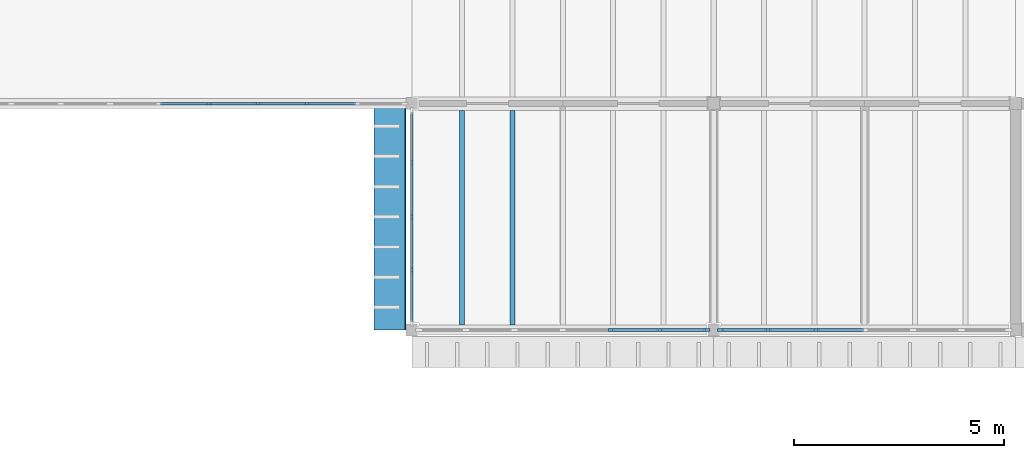
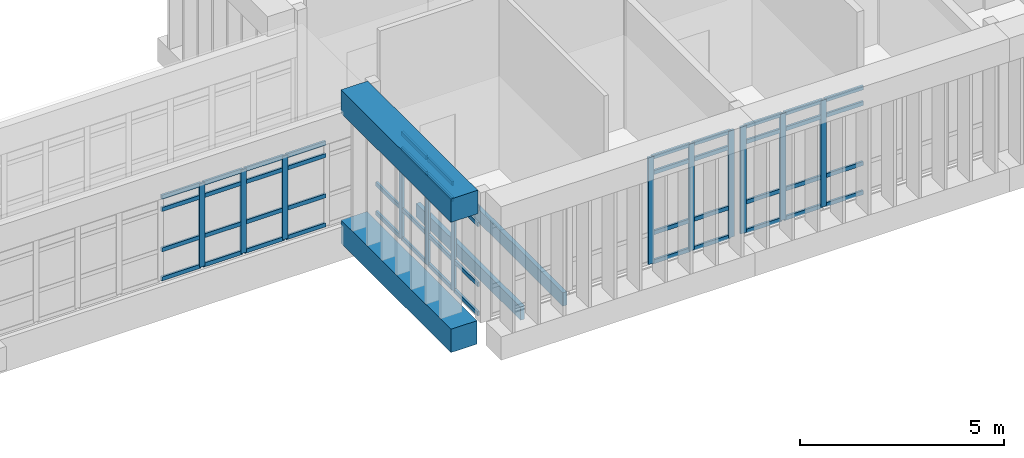
# One storey, part 11 of 51: 64 members, 2 beams, 4 elements without a shape of their own.
"""IFC4 building model written with IfcOpenShell, lengths in metres."""

from ifc_helpers import new_model, si_unit, direction, frame, origin, origin_2d, place, context, subcontext, project, spatial, rectangle, extrude, material, layer, layer_set, material_profile, profile_set, type_object, element, aggregate, save


model = new_model("IFC4")

# Units and contexts
model_context = context("Model", 3, precision=1e-05, world=origin(), true_north=direction((0.0, 1.0)))
body_context = subcontext(model_context, "Body", "Model", "MODEL_VIEW")
ifc_project = project(units=[si_unit("LENGTHUNIT", "METRE"), si_unit("AREAUNIT", "SQUARE_METRE"), si_unit("VOLUMEUNIT", "CUBIC_METRE"), si_unit("PLANEANGLEUNIT", "RADIAN"), si_unit("MASSUNIT", "GRAM", prefix="KILO")], contexts=[model_context])

# Site, building, storey
site_placement = place(None, origin())
site = spatial("IfcSite", under=ifc_project, at=site_placement, CompositionType="ELEMENT")
building_placement = place(site_placement, origin())
building = spatial("IfcBuilding", under=site, at=building_placement, Name="Mazhai Court Health Centre", CompositionType="ELEMENT")
storey_placement = place(building_placement, frame((0.0, 0.0, 14.10009765625)))
storey = spatial("IfcBuildingStorey", under=building, at=storey_placement, Name="L03", CompositionType="ELEMENT", Elevation=14.10009765625)

# Curtain wall, members
ifc_material_1 = material(Name="Teak timber frame, glazed", Category="wood")
ifc_layer = layer(ifc_material_1, 0.10009765625)
ifc_layer_set = layer_set([ifc_layer], Name="CURTAIN WALL TIMBER 1200")
curtain_wall_type = type_object("IfcCurtainWallType", Name="CURTAIN WALL TIMBER 1200", PredefinedType="NOTDEFINED", material=ifc_layer_set)
curtain_wall_1_placement = place(storey_placement, origin())
curtain_wall_1 = element("IfcCurtainWall", 1, at=curtain_wall_1_placement, inside=storey, type_object=curtain_wall_type, Name="CW-V4-L03-A5", PredefinedType="NOTDEFINED")
ifc_material_2 = material(Name="Teak timber", Category="wood")
ifc_material_profile_1 = material_profile(ifc_material_2, rectangle(XDim=0.06005859375, YDim=0.159912109375, at=origin_2d()), Name="CW MULLION 60x160")
ifc_profile_set_1 = profile_set([ifc_material_profile_1], Name="Teak timber")
member_type_1 = type_object("IfcMemberType", Name="CW MULLION 60x160", PredefinedType="MULLION", material=ifc_profile_set_1)
member_1_placement = place(storey_placement, frame((114.030029296875, 13.39990234375, 0.0), z_axis=(0.0, 0.0, 1.0), x_axis=(0.0, -1.0, 0.0)))
member_1 = element("IfcMember", 2, at=member_1_placement, type_object=member_type_1, Name="CW mullion 1", PredefinedType="MULLION", context=body_context, shape_type="SweptSolid", body=[
    extrude(rectangle(XDim=0.06005859375, YDim=0.159912109375, at=origin_2d()), origin(), (0.0, 0.0, 1.0), 3.199951171875),
])
member_2_placement = place(storey_placement, frame((112.90673828125, 13.39990234375, 0.0), z_axis=(0.0, 0.0, 1.0), x_axis=(0.0, -1.0, 0.0)))
member_2 = element("IfcMember", 3, at=member_2_placement, type_object=member_type_1, Name="CW mullion 2", PredefinedType="MULLION", context=body_context, shape_type="SweptSolid", body=[
    extrude(rectangle(XDim=0.06005859375, YDim=0.159912109375, at=origin_2d()), origin(), (0.0, 0.0, 1.0), 3.199951171875),
])
member_3_placement = place(storey_placement, frame((111.75341796875, 13.39990234375, 0.0), z_axis=(0.0, 0.0, 1.0), x_axis=(0.0, -1.0, 0.0)))
member_3 = element("IfcMember", 4, at=member_3_placement, type_object=member_type_1, Name="CW mullion 3", PredefinedType="MULLION", context=body_context, shape_type="SweptSolid", body=[
    extrude(rectangle(XDim=0.06005859375, YDim=0.159912109375, at=origin_2d()), origin(), (0.0, 0.0, 1.0), 3.199951171875),
])

curtain_wall_2_placement = place(storey_placement, origin())
curtain_wall_2 = element("IfcCurtainWall", 5, at=curtain_wall_2_placement, inside=storey, type_object=curtain_wall_type, Name="CW-V4-L03-A6", PredefinedType="NOTDEFINED")
member_4_placement = place(storey_placement, frame((116.646728515625, 13.39990234375, 0.0), z_axis=(0.0, 0.0, 1.0), x_axis=(0.0, -1.0, 0.0)))
member_4 = element("IfcMember", 6, at=member_4_placement, type_object=member_type_1, Name="CW mullion 5", PredefinedType="MULLION", context=body_context, shape_type="SweptSolid", body=[
    extrude(rectangle(XDim=0.06005859375, YDim=0.159912109375, at=origin_2d()), origin(), (0.0, 0.0, 1.0), 3.199951171875),
])
member_5_placement = place(storey_placement, frame((115.493408203125, 13.39990234375, 0.0), z_axis=(0.0, 0.0, 1.0), x_axis=(0.0, -1.0, 0.0)))
member_5 = element("IfcMember", 7, at=member_5_placement, type_object=member_type_1, Name="CW mullion 6", PredefinedType="MULLION", context=body_context, shape_type="SweptSolid", body=[
    extrude(rectangle(XDim=0.06005859375, YDim=0.159912109375, at=origin_2d()), origin(), (0.0, 0.0, 1.0), 3.199951171875),
])
member_6_placement = place(storey_placement, frame((114.3701171875, 13.39990234375, 0.0), z_axis=(0.0, 0.0, 1.0), x_axis=(0.0, -1.0, 0.0)))
member_6 = element("IfcMember", 8, at=member_6_placement, type_object=member_type_1, Name="CW mullion 7", PredefinedType="MULLION", context=body_context, shape_type="SweptSolid", body=[
    extrude(rectangle(XDim=0.06005859375, YDim=0.159912109375, at=origin_2d()), origin(), (0.0, 0.0, 1.0), 3.199951171875),
])

curtain_wall_3_placement = place(storey_placement, origin())
curtain_wall_3 = element("IfcCurtainWall", 9, at=curtain_wall_3_placement, inside=storey, type_object=curtain_wall_type, Name="CW-V4-L03-CW5-0", PredefinedType="NOTDEFINED")
member_7_placement = place(storey_placement, frame((107.0, 14.820068359375, 0.0), z_axis=(0.0, 0.0, 1.0), x_axis=(-1.0, 0.0, 0.0)))
member_7 = element("IfcMember", 10, at=member_7_placement, type_object=member_type_1, Name="CW mullion 2", PredefinedType="MULLION", context=body_context, shape_type="SweptSolid", body=[
    extrude(rectangle(XDim=0.06005859375, YDim=0.159912109375, at=origin_2d()), origin(), (0.0, 0.0, 1.0), 3.199951171875),
])
member_8_placement = place(storey_placement, frame((107.0, 16.10009765625, 0.0), z_axis=(0.0, 0.0, 1.0), x_axis=(-1.0, 0.0, 0.0)))
member_8 = element("IfcMember", 11, at=member_8_placement, type_object=member_type_1, Name="CW mullion 3", PredefinedType="MULLION", context=body_context, shape_type="SweptSolid", body=[
    extrude(rectangle(XDim=0.06005859375, YDim=0.159912109375, at=origin_2d()), origin(), (0.0, 0.0, 1.0), 3.199951171875),
])
member_9_placement = place(storey_placement, frame((107.0, 17.3798828125, 0.0), z_axis=(0.0, 0.0, 1.0), x_axis=(-1.0, 0.0, 0.0)))
member_9 = element("IfcMember", 12, at=member_9_placement, type_object=member_type_1, Name="CW mullion 4", PredefinedType="MULLION", context=body_context, shape_type="SweptSolid", body=[
    extrude(rectangle(XDim=0.06005859375, YDim=0.159912109375, at=origin_2d()), origin(), (0.0, 0.0, 1.0), 3.199951171875),
])

curtain_wall_4_placement = place(storey_placement, origin())
curtain_wall_4 = element("IfcCurtainWall", 13, at=curtain_wall_4_placement, inside=storey, type_object=curtain_wall_type, Name="CW-BR-LC3-S", PredefinedType="NOTDEFINED")
member_10_placement = place(storey_placement, frame((102.1533203125, 18.800048828125, 0.0), z_axis=(0.0, 0.0, 1.0), x_axis=(0.0, 1.0, 0.0)))
member_10 = element("IfcMember", 14, at=member_10_placement, type_object=member_type_1, Name="CW mullion 9", PredefinedType="MULLION", context=body_context, shape_type="SweptSolid", body=[
    extrude(rectangle(XDim=0.06005859375, YDim=0.159912109375, at=origin_2d()), origin(), (0.0, 0.0, 1.0), 2.5048828125),
])
member_11_placement = place(storey_placement, frame((103.330078125, 18.800048828125, 0.0), z_axis=(0.0, 0.0, 1.0), x_axis=(0.0, 1.0, 0.0)))
member_11 = element("IfcMember", 15, at=member_11_placement, type_object=member_type_1, Name="CW mullion 10", PredefinedType="MULLION", context=body_context, shape_type="SweptSolid", body=[
    extrude(rectangle(XDim=0.06005859375, YDim=0.159912109375, at=origin_2d()), origin(), (0.0, 0.0, 1.0), 2.5048828125),
])
member_12_placement = place(storey_placement, frame((104.506591796875, 18.800048828125, 0.0), z_axis=(0.0, 0.0, 1.0), x_axis=(0.0, 1.0, 0.0)))
member_12 = element("IfcMember", 16, at=member_12_placement, type_object=member_type_1, Name="CW mullion 11", PredefinedType="MULLION", context=body_context, shape_type="SweptSolid", body=[
    extrude(rectangle(XDim=0.06005859375, YDim=0.159912109375, at=origin_2d()), origin(), (0.0, 0.0, 1.0), 2.5048828125),
])

# Member
ifc_material_3 = material(Name="Teak timber", Category="wood")
ifc_material_profile_2 = material_profile(ifc_material_3, rectangle(XDim=0.06005859375, YDim=0.1201171875, at=origin_2d()), Name="CW TRANSOM 60x120")
ifc_profile_set_2 = profile_set([ifc_material_profile_2], Name="Teak timber")
member_type_2 = type_object("IfcMemberType", Name="CW TRANSOM 60x120", PredefinedType="USERDEFINED", material=ifc_profile_set_2)
member_13_placement = place(storey_placement, frame((114.0, 13.39990234375, 0.02978515625), z_axis=(-1.0, 0.0, 0.0), x_axis=(0.0, -1.0, 0.0)))
member_13 = element("IfcMember", 17, at=member_13_placement, type_object=member_type_2, Name="CW transom 1.1", ObjectType="TRANSOM", PredefinedType="USERDEFINED", context=body_context, shape_type="SweptSolid", body=[
    extrude(rectangle(XDim=0.06005859375, YDim=0.1201171875, at=origin_2d()), origin(), (0.0, 0.0, 1.0), 1.063232421875),
])

member_14_placement = place(storey_placement, frame((114.0, 13.39990234375, 0.89990234375), z_axis=(-1.0, 0.0, 0.0), x_axis=(0.0, -1.0, 0.0)))
member_14 = element("IfcMember", 18, at=member_14_placement, type_object=member_type_2, Name="CW transom 1.2", ObjectType="TRANSOM", PredefinedType="USERDEFINED", context=body_context, shape_type="SweptSolid", body=[
    extrude(rectangle(XDim=0.06005859375, YDim=0.1201171875, at=origin_2d()), origin(), (0.0, 0.0, 1.0), 1.063232421875),
])

member_15_placement = place(storey_placement, frame((114.0, 13.39990234375, 2.699951171875), z_axis=(-1.0, 0.0, 0.0), x_axis=(0.0, -1.0, 0.0)))
member_15 = element("IfcMember", 19, at=member_15_placement, type_object=member_type_2, Name="CW transom 1.3", ObjectType="TRANSOM", PredefinedType="USERDEFINED", context=body_context, shape_type="SweptSolid", body=[
    extrude(rectangle(XDim=0.06005859375, YDim=0.1201171875, at=origin_2d()), origin(), (0.0, 0.0, 1.0), 1.063232421875),
])

member_16_placement = place(storey_placement, frame((114.0, 13.39990234375, 3.169921875), z_axis=(-1.0, 0.0, 0.0), x_axis=(0.0, -1.0, 0.0)))
member_16 = element("IfcMember", 20, at=member_16_placement, type_object=member_type_2, Name="CW transom 1.4", ObjectType="TRANSOM", PredefinedType="USERDEFINED", context=body_context, shape_type="SweptSolid", body=[
    extrude(rectangle(XDim=0.06005859375, YDim=0.1201171875, at=origin_2d()), origin(), (0.0, 0.0, 1.0), 1.063232421875),
])

member_17_placement = place(storey_placement, frame((112.876708984375, 13.39990234375, 0.02978515625), z_axis=(-1.0, 0.0, 0.0), x_axis=(0.0, -1.0, 0.0)))
member_17 = element("IfcMember", 21, at=member_17_placement, type_object=member_type_2, Name="CW transom 2.1", ObjectType="TRANSOM", PredefinedType="USERDEFINED", context=body_context, shape_type="SweptSolid", body=[
    extrude(rectangle(XDim=0.06005859375, YDim=0.1201171875, at=origin_2d()), origin(), (0.0, 0.0, 1.0), 1.09326171875),
])

member_18_placement = place(storey_placement, frame((112.876708984375, 13.39990234375, 0.89990234375), z_axis=(-1.0, 0.0, 0.0), x_axis=(0.0, -1.0, 0.0)))
member_18 = element("IfcMember", 22, at=member_18_placement, type_object=member_type_2, Name="CW transom 2.2", ObjectType="TRANSOM", PredefinedType="USERDEFINED", context=body_context, shape_type="SweptSolid", body=[
    extrude(rectangle(XDim=0.06005859375, YDim=0.1201171875, at=origin_2d()), origin(), (0.0, 0.0, 1.0), 1.09326171875),
])

member_19_placement = place(storey_placement, frame((112.876708984375, 13.39990234375, 2.699951171875), z_axis=(-1.0, 0.0, 0.0), x_axis=(0.0, -1.0, 0.0)))
member_19 = element("IfcMember", 23, at=member_19_placement, type_object=member_type_2, Name="CW transom 2.3", ObjectType="TRANSOM", PredefinedType="USERDEFINED", context=body_context, shape_type="SweptSolid", body=[
    extrude(rectangle(XDim=0.06005859375, YDim=0.1201171875, at=origin_2d()), origin(), (0.0, 0.0, 1.0), 1.09326171875),
])

member_20_placement = place(storey_placement, frame((112.876708984375, 13.39990234375, 3.169921875), z_axis=(-1.0, 0.0, 0.0), x_axis=(0.0, -1.0, 0.0)))
member_20 = element("IfcMember", 24, at=member_20_placement, type_object=member_type_2, Name="CW transom 2.4", ObjectType="TRANSOM", PredefinedType="USERDEFINED", context=body_context, shape_type="SweptSolid", body=[
    extrude(rectangle(XDim=0.06005859375, YDim=0.1201171875, at=origin_2d()), origin(), (0.0, 0.0, 1.0), 1.09326171875),
])

aggregate(curtain_wall_1, [member_1, member_2, member_3, member_13, member_14, member_15, member_16, member_17, member_18, member_19, member_20])

member_21_placement = place(storey_placement, frame((117.77001953125, 13.39990234375, 0.02978515625), z_axis=(-1.0, 0.0, 0.0), x_axis=(0.0, -1.0, 0.0)))
member_21 = element("IfcMember", 25, at=member_21_placement, type_object=member_type_2, Name="CW transom 4.1", ObjectType="TRANSOM", PredefinedType="USERDEFINED", context=body_context, shape_type="SweptSolid", body=[
    extrude(rectangle(XDim=0.06005859375, YDim=0.1201171875, at=origin_2d()), origin(), (0.0, 0.0, 1.0), 1.09326171875),
])

member_22_placement = place(storey_placement, frame((117.77001953125, 13.39990234375, 0.89990234375), z_axis=(-1.0, 0.0, 0.0), x_axis=(0.0, -1.0, 0.0)))
member_22 = element("IfcMember", 26, at=member_22_placement, type_object=member_type_2, Name="CW transom 4.2", ObjectType="TRANSOM", PredefinedType="USERDEFINED", context=body_context, shape_type="SweptSolid", body=[
    extrude(rectangle(XDim=0.06005859375, YDim=0.1201171875, at=origin_2d()), origin(), (0.0, 0.0, 1.0), 1.09326171875),
])

member_23_placement = place(storey_placement, frame((117.77001953125, 13.39990234375, 2.699951171875), z_axis=(-1.0, 0.0, 0.0), x_axis=(0.0, -1.0, 0.0)))
member_23 = element("IfcMember", 27, at=member_23_placement, type_object=member_type_2, Name="CW transom 4.3", ObjectType="TRANSOM", PredefinedType="USERDEFINED", context=body_context, shape_type="SweptSolid", body=[
    extrude(rectangle(XDim=0.06005859375, YDim=0.1201171875, at=origin_2d()), origin(), (0.0, 0.0, 1.0), 1.09326171875),
])

member_24_placement = place(storey_placement, frame((117.77001953125, 13.39990234375, 3.169921875), z_axis=(-1.0, 0.0, 0.0), x_axis=(0.0, -1.0, 0.0)))
member_24 = element("IfcMember", 28, at=member_24_placement, type_object=member_type_2, Name="CW transom 4.4", ObjectType="TRANSOM", PredefinedType="USERDEFINED", context=body_context, shape_type="SweptSolid", body=[
    extrude(rectangle(XDim=0.06005859375, YDim=0.1201171875, at=origin_2d()), origin(), (0.0, 0.0, 1.0), 1.09326171875),
])

member_25_placement = place(storey_placement, frame((116.61669921875, 13.39990234375, 0.02978515625), z_axis=(-1.0, 0.0, 0.0), x_axis=(0.0, -1.0, 0.0)))
member_25 = element("IfcMember", 29, at=member_25_placement, type_object=member_type_2, Name="CW transom 5.1", ObjectType="TRANSOM", PredefinedType="USERDEFINED", context=body_context, shape_type="SweptSolid", body=[
    extrude(rectangle(XDim=0.06005859375, YDim=0.1201171875, at=origin_2d()), origin(), (0.0, 0.0, 1.0), 1.09326171875),
])

member_26_placement = place(storey_placement, frame((116.61669921875, 13.39990234375, 0.89990234375), z_axis=(-1.0, 0.0, 0.0), x_axis=(0.0, -1.0, 0.0)))
member_26 = element("IfcMember", 30, at=member_26_placement, type_object=member_type_2, Name="CW transom 5.2", ObjectType="TRANSOM", PredefinedType="USERDEFINED", context=body_context, shape_type="SweptSolid", body=[
    extrude(rectangle(XDim=0.06005859375, YDim=0.1201171875, at=origin_2d()), origin(), (0.0, 0.0, 1.0), 1.09326171875),
])

member_27_placement = place(storey_placement, frame((116.61669921875, 13.39990234375, 2.699951171875), z_axis=(-1.0, 0.0, 0.0), x_axis=(0.0, -1.0, 0.0)))
member_27 = element("IfcMember", 31, at=member_27_placement, type_object=member_type_2, Name="CW transom 5.3", ObjectType="TRANSOM", PredefinedType="USERDEFINED", context=body_context, shape_type="SweptSolid", body=[
    extrude(rectangle(XDim=0.06005859375, YDim=0.1201171875, at=origin_2d()), origin(), (0.0, 0.0, 1.0), 1.09326171875),
])

member_28_placement = place(storey_placement, frame((116.61669921875, 13.39990234375, 3.169921875), z_axis=(-1.0, 0.0, 0.0), x_axis=(0.0, -1.0, 0.0)))
member_28 = element("IfcMember", 32, at=member_28_placement, type_object=member_type_2, Name="CW transom 5.4", ObjectType="TRANSOM", PredefinedType="USERDEFINED", context=body_context, shape_type="SweptSolid", body=[
    extrude(rectangle(XDim=0.06005859375, YDim=0.1201171875, at=origin_2d()), origin(), (0.0, 0.0, 1.0), 1.09326171875),
])

member_29_placement = place(storey_placement, frame((115.46337890625, 13.39990234375, 0.02978515625), z_axis=(-1.0, 0.0, 0.0), x_axis=(0.0, -1.0, 0.0)))
member_29 = element("IfcMember", 33, at=member_29_placement, type_object=member_type_2, Name="CW transom 6.1", ObjectType="TRANSOM", PredefinedType="USERDEFINED", context=body_context, shape_type="SweptSolid", body=[
    extrude(rectangle(XDim=0.06005859375, YDim=0.1201171875, at=origin_2d()), origin(), (0.0, 0.0, 1.0), 1.0634765625),
])

member_30_placement = place(storey_placement, frame((115.46337890625, 13.39990234375, 0.89990234375), z_axis=(-1.0, 0.0, 0.0), x_axis=(0.0, -1.0, 0.0)))
member_30 = element("IfcMember", 34, at=member_30_placement, type_object=member_type_2, Name="CW transom 6.2", ObjectType="TRANSOM", PredefinedType="USERDEFINED", context=body_context, shape_type="SweptSolid", body=[
    extrude(rectangle(XDim=0.06005859375, YDim=0.1201171875, at=origin_2d()), origin(), (0.0, 0.0, 1.0), 1.0634765625),
])

member_31_placement = place(storey_placement, frame((115.46337890625, 13.39990234375, 2.699951171875), z_axis=(-1.0, 0.0, 0.0), x_axis=(0.0, -1.0, 0.0)))
member_31 = element("IfcMember", 35, at=member_31_placement, type_object=member_type_2, Name="CW transom 6.3", ObjectType="TRANSOM", PredefinedType="USERDEFINED", context=body_context, shape_type="SweptSolid", body=[
    extrude(rectangle(XDim=0.06005859375, YDim=0.1201171875, at=origin_2d()), origin(), (0.0, 0.0, 1.0), 1.0634765625),
])

member_32_placement = place(storey_placement, frame((115.46337890625, 13.39990234375, 3.169921875), z_axis=(-1.0, 0.0, 0.0), x_axis=(0.0, -1.0, 0.0)))
member_32 = element("IfcMember", 36, at=member_32_placement, type_object=member_type_2, Name="CW transom 6.4", ObjectType="TRANSOM", PredefinedType="USERDEFINED", context=body_context, shape_type="SweptSolid", body=[
    extrude(rectangle(XDim=0.06005859375, YDim=0.1201171875, at=origin_2d()), origin(), (0.0, 0.0, 1.0), 1.0634765625),
])

aggregate(curtain_wall_2, [member_4, member_5, member_6, member_21, member_22, member_23, member_24, member_25, member_26, member_27, member_28, member_29, member_30, member_31, member_32])

member_33_placement = place(storey_placement, frame((107.0, 13.60009765625, 0.02978515625), z_axis=(0.0, 1.0, 0.0), x_axis=(-1.0, 0.0, 0.0)))
member_33 = element("IfcMember", 37, at=member_33_placement, type_object=member_type_2, Name="CW transom 1.1", ObjectType="TRANSOM", PredefinedType="USERDEFINED", context=body_context, shape_type="SweptSolid", body=[
    extrude(rectangle(XDim=0.06005859375, YDim=0.1201171875, at=origin_2d()), origin(), (0.0, 0.0, 1.0), 1.18994140625),
])

member_34_placement = place(storey_placement, frame((107.0, 13.60009765625, 0.89990234375), z_axis=(0.0, 1.0, 0.0), x_axis=(-1.0, 0.0, 0.0)))
member_34 = element("IfcMember", 38, at=member_34_placement, type_object=member_type_2, Name="CW transom 1.2", ObjectType="TRANSOM", PredefinedType="USERDEFINED", context=body_context, shape_type="SweptSolid", body=[
    extrude(rectangle(XDim=0.06005859375, YDim=0.1201171875, at=origin_2d()), origin(), (0.0, 0.0, 1.0), 1.18994140625),
])

member_35_placement = place(storey_placement, frame((107.0, 13.60009765625, 2.699951171875), z_axis=(0.0, 1.0, 0.0), x_axis=(-1.0, 0.0, 0.0)))
member_35 = element("IfcMember", 39, at=member_35_placement, type_object=member_type_2, Name="CW transom 1.3", ObjectType="TRANSOM", PredefinedType="USERDEFINED", context=body_context, shape_type="SweptSolid", body=[
    extrude(rectangle(XDim=0.06005859375, YDim=0.1201171875, at=origin_2d()), origin(), (0.0, 0.0, 1.0), 1.18994140625),
])

member_36_placement = place(storey_placement, frame((107.0, 13.60009765625, 3.169921875), z_axis=(0.0, 1.0, 0.0), x_axis=(-1.0, 0.0, 0.0)))
member_36 = element("IfcMember", 40, at=member_36_placement, type_object=member_type_2, Name="CW transom 1.4", ObjectType="TRANSOM", PredefinedType="USERDEFINED", context=body_context, shape_type="SweptSolid", body=[
    extrude(rectangle(XDim=0.06005859375, YDim=0.1201171875, at=origin_2d()), origin(), (0.0, 0.0, 1.0), 1.18994140625),
])

member_37_placement = place(storey_placement, frame((107.0, 14.85009765625, 0.02978515625), z_axis=(0.0, 1.0, 0.0), x_axis=(-1.0, 0.0, 0.0)))
member_37 = element("IfcMember", 41, at=member_37_placement, type_object=member_type_2, Name="CW transom 2.1", ObjectType="TRANSOM", PredefinedType="USERDEFINED", context=body_context, shape_type="SweptSolid", body=[
    extrude(rectangle(XDim=0.06005859375, YDim=0.1201171875, at=origin_2d()), origin(), (0.0, 0.0, 1.0), 1.219970703125),
])

member_38_placement = place(storey_placement, frame((107.0, 14.85009765625, 0.89990234375), z_axis=(0.0, 1.0, 0.0), x_axis=(-1.0, 0.0, 0.0)))
member_38 = element("IfcMember", 42, at=member_38_placement, type_object=member_type_2, Name="CW transom 2.2", ObjectType="TRANSOM", PredefinedType="USERDEFINED", context=body_context, shape_type="SweptSolid", body=[
    extrude(rectangle(XDim=0.06005859375, YDim=0.1201171875, at=origin_2d()), origin(), (0.0, 0.0, 1.0), 1.219970703125),
])

member_39_placement = place(storey_placement, frame((107.0, 14.85009765625, 2.699951171875), z_axis=(0.0, 1.0, 0.0), x_axis=(-1.0, 0.0, 0.0)))
member_39 = element("IfcMember", 43, at=member_39_placement, type_object=member_type_2, Name="CW transom 2.3", ObjectType="TRANSOM", PredefinedType="USERDEFINED", context=body_context, shape_type="SweptSolid", body=[
    extrude(rectangle(XDim=0.06005859375, YDim=0.1201171875, at=origin_2d()), origin(), (0.0, 0.0, 1.0), 1.219970703125),
])

member_40_placement = place(storey_placement, frame((107.0, 14.85009765625, 3.169921875), z_axis=(0.0, 1.0, 0.0), x_axis=(-1.0, 0.0, 0.0)))
member_40 = element("IfcMember", 44, at=member_40_placement, type_object=member_type_2, Name="CW transom 2.4", ObjectType="TRANSOM", PredefinedType="USERDEFINED", context=body_context, shape_type="SweptSolid", body=[
    extrude(rectangle(XDim=0.06005859375, YDim=0.1201171875, at=origin_2d()), origin(), (0.0, 0.0, 1.0), 1.219970703125),
])

member_41_placement = place(storey_placement, frame((107.0, 16.1298828125, 0.02978515625), z_axis=(0.0, 1.0, 0.0), x_axis=(-1.0, 0.0, 0.0)))
member_41 = element("IfcMember", 45, at=member_41_placement, type_object=member_type_2, Name="CW transom 3.1", ObjectType="TRANSOM", PredefinedType="USERDEFINED", context=body_context, shape_type="SweptSolid", body=[
    extrude(rectangle(XDim=0.06005859375, YDim=0.1201171875, at=origin_2d()), origin(), (0.0, 0.0, 1.0), 1.22021484375),
])

member_42_placement = place(storey_placement, frame((107.0, 16.1298828125, 0.89990234375), z_axis=(0.0, 1.0, 0.0), x_axis=(-1.0, 0.0, 0.0)))
member_42 = element("IfcMember", 46, at=member_42_placement, type_object=member_type_2, Name="CW transom 3.2", ObjectType="TRANSOM", PredefinedType="USERDEFINED", context=body_context, shape_type="SweptSolid", body=[
    extrude(rectangle(XDim=0.06005859375, YDim=0.1201171875, at=origin_2d()), origin(), (0.0, 0.0, 1.0), 1.22021484375),
])

member_43_placement = place(storey_placement, frame((107.0, 16.1298828125, 2.699951171875), z_axis=(0.0, 1.0, 0.0), x_axis=(-1.0, 0.0, 0.0)))
member_43 = element("IfcMember", 47, at=member_43_placement, type_object=member_type_2, Name="CW transom 3.3", ObjectType="TRANSOM", PredefinedType="USERDEFINED", context=body_context, shape_type="SweptSolid", body=[
    extrude(rectangle(XDim=0.06005859375, YDim=0.1201171875, at=origin_2d()), origin(), (0.0, 0.0, 1.0), 1.22021484375),
])

member_44_placement = place(storey_placement, frame((107.0, 16.1298828125, 3.169921875), z_axis=(0.0, 1.0, 0.0), x_axis=(-1.0, 0.0, 0.0)))
member_44 = element("IfcMember", 48, at=member_44_placement, type_object=member_type_2, Name="CW transom 3.4", ObjectType="TRANSOM", PredefinedType="USERDEFINED", context=body_context, shape_type="SweptSolid", body=[
    extrude(rectangle(XDim=0.06005859375, YDim=0.1201171875, at=origin_2d()), origin(), (0.0, 0.0, 1.0), 1.22021484375),
])

member_45_placement = place(storey_placement, frame((107.0, 17.409912109375, 0.02978515625), z_axis=(0.0, 1.0, 0.0), x_axis=(-1.0, 0.0, 0.0)))
member_45 = element("IfcMember", 49, at=member_45_placement, type_object=member_type_2, Name="CW transom 4.1", ObjectType="TRANSOM", PredefinedType="USERDEFINED", context=body_context, shape_type="SweptSolid", body=[
    extrude(rectangle(XDim=0.06005859375, YDim=0.1201171875, at=origin_2d()), origin(), (0.0, 0.0, 1.0), 1.190185546875),
])

member_46_placement = place(storey_placement, frame((107.0, 17.409912109375, 0.89990234375), z_axis=(0.0, 1.0, 0.0), x_axis=(-1.0, 0.0, 0.0)))
member_46 = element("IfcMember", 50, at=member_46_placement, type_object=member_type_2, Name="CW transom 4.2", ObjectType="TRANSOM", PredefinedType="USERDEFINED", context=body_context, shape_type="SweptSolid", body=[
    extrude(rectangle(XDim=0.06005859375, YDim=0.1201171875, at=origin_2d()), origin(), (0.0, 0.0, 1.0), 1.190185546875),
])

aggregate(curtain_wall_3, [member_7, member_8, member_9, member_33, member_34, member_35, member_36, member_37, member_38, member_39, member_40, member_41, member_42, member_43, member_44, member_45, member_46])

member_47_placement = place(storey_placement, frame((101.006591796875, 18.800048828125, 0.02978515625), z_axis=(1.0, 0.0, 0.0), x_axis=(0.0, 1.0, 0.0)))
member_47 = element("IfcMember", 51, at=member_47_placement, type_object=member_type_2, Name="CW transom 8.1", ObjectType="TRANSOM", PredefinedType="USERDEFINED", context=body_context, shape_type="SweptSolid", body=[
    extrude(rectangle(XDim=0.06005859375, YDim=0.1201171875, at=origin_2d()), origin(), (0.0, 0.0, 1.0), 1.11669921875),
])

member_48_placement = place(storey_placement, frame((101.006591796875, 18.800048828125, 0.89990234375), z_axis=(1.0, 0.0, 0.0), x_axis=(0.0, 1.0, 0.0)))
member_48 = element("IfcMember", 52, at=member_48_placement, type_object=member_type_2, Name="CW transom 8.2", ObjectType="TRANSOM", PredefinedType="USERDEFINED", context=body_context, shape_type="SweptSolid", body=[
    extrude(rectangle(XDim=0.06005859375, YDim=0.1201171875, at=origin_2d()), origin(), (0.0, 0.0, 1.0), 1.11669921875),
])

member_49_placement = place(storey_placement, frame((101.006591796875, 18.800048828125, 2.10498046875), z_axis=(1.0, 0.0, 0.0), x_axis=(0.0, 1.0, 0.0)))
member_49 = element("IfcMember", 53, at=member_49_placement, type_object=member_type_2, Name="CW transom 8.3", ObjectType="TRANSOM", PredefinedType="USERDEFINED", context=body_context, shape_type="SweptSolid", body=[
    extrude(rectangle(XDim=0.06005859375, YDim=0.1201171875, at=origin_2d()), origin(), (0.0, 0.0, 1.0), 1.11669921875),
])

member_50_placement = place(storey_placement, frame((101.006591796875, 18.800048828125, 2.474853515625), z_axis=(1.0, 0.0, 0.0), x_axis=(0.0, 1.0, 0.0)))
member_50 = element("IfcMember", 54, at=member_50_placement, type_object=member_type_2, Name="CW transom 8.4", ObjectType="TRANSOM", PredefinedType="USERDEFINED", context=body_context, shape_type="SweptSolid", body=[
    extrude(rectangle(XDim=0.06005859375, YDim=0.1201171875, at=origin_2d()), origin(), (0.0, 0.0, 1.0), 1.11669921875),
])

member_51_placement = place(storey_placement, frame((102.183349609375, 18.800048828125, 0.02978515625), z_axis=(1.0, 0.0, 0.0), x_axis=(0.0, 1.0, 0.0)))
member_51 = element("IfcMember", 55, at=member_51_placement, type_object=member_type_2, Name="CW transom 9.1", ObjectType="TRANSOM", PredefinedType="USERDEFINED", context=body_context, shape_type="SweptSolid", body=[
    extrude(rectangle(XDim=0.06005859375, YDim=0.1201171875, at=origin_2d()), origin(), (0.0, 0.0, 1.0), 1.11669921875),
])

member_52_placement = place(storey_placement, frame((102.183349609375, 18.800048828125, 0.89990234375), z_axis=(1.0, 0.0, 0.0), x_axis=(0.0, 1.0, 0.0)))
member_52 = element("IfcMember", 56, at=member_52_placement, type_object=member_type_2, Name="CW transom 9.2", ObjectType="TRANSOM", PredefinedType="USERDEFINED", context=body_context, shape_type="SweptSolid", body=[
    extrude(rectangle(XDim=0.06005859375, YDim=0.1201171875, at=origin_2d()), origin(), (0.0, 0.0, 1.0), 1.11669921875),
])

member_53_placement = place(storey_placement, frame((102.183349609375, 18.800048828125, 2.10498046875), z_axis=(1.0, 0.0, 0.0), x_axis=(0.0, 1.0, 0.0)))
member_53 = element("IfcMember", 57, at=member_53_placement, type_object=member_type_2, Name="CW transom 9.3", ObjectType="TRANSOM", PredefinedType="USERDEFINED", context=body_context, shape_type="SweptSolid", body=[
    extrude(rectangle(XDim=0.06005859375, YDim=0.1201171875, at=origin_2d()), origin(), (0.0, 0.0, 1.0), 1.11669921875),
])

member_54_placement = place(storey_placement, frame((102.183349609375, 18.800048828125, 2.474853515625), z_axis=(1.0, 0.0, 0.0), x_axis=(0.0, 1.0, 0.0)))
member_54 = element("IfcMember", 58, at=member_54_placement, type_object=member_type_2, Name="CW transom 9.4", ObjectType="TRANSOM", PredefinedType="USERDEFINED", context=body_context, shape_type="SweptSolid", body=[
    extrude(rectangle(XDim=0.06005859375, YDim=0.1201171875, at=origin_2d()), origin(), (0.0, 0.0, 1.0), 1.11669921875),
])

member_55_placement = place(storey_placement, frame((103.360107421875, 18.800048828125, 0.02978515625), z_axis=(1.0, 0.0, 0.0), x_axis=(0.0, 1.0, 0.0)))
member_55 = element("IfcMember", 59, at=member_55_placement, type_object=member_type_2, Name="CW transom 10.1", ObjectType="TRANSOM", PredefinedType="USERDEFINED", context=body_context, shape_type="SweptSolid", body=[
    extrude(rectangle(XDim=0.06005859375, YDim=0.1201171875, at=origin_2d()), origin(), (0.0, 0.0, 1.0), 1.116455078125),
])

member_56_placement = place(storey_placement, frame((103.360107421875, 18.800048828125, 0.89990234375), z_axis=(1.0, 0.0, 0.0), x_axis=(0.0, 1.0, 0.0)))
member_56 = element("IfcMember", 60, at=member_56_placement, type_object=member_type_2, Name="CW transom 10.2", ObjectType="TRANSOM", PredefinedType="USERDEFINED", context=body_context, shape_type="SweptSolid", body=[
    extrude(rectangle(XDim=0.06005859375, YDim=0.1201171875, at=origin_2d()), origin(), (0.0, 0.0, 1.0), 1.116455078125),
])

member_57_placement = place(storey_placement, frame((103.360107421875, 18.800048828125, 2.10498046875), z_axis=(1.0, 0.0, 0.0), x_axis=(0.0, 1.0, 0.0)))
member_57 = element("IfcMember", 61, at=member_57_placement, type_object=member_type_2, Name="CW transom 10.3", ObjectType="TRANSOM", PredefinedType="USERDEFINED", context=body_context, shape_type="SweptSolid", body=[
    extrude(rectangle(XDim=0.06005859375, YDim=0.1201171875, at=origin_2d()), origin(), (0.0, 0.0, 1.0), 1.116455078125),
])

member_58_placement = place(storey_placement, frame((103.360107421875, 18.800048828125, 2.474853515625), z_axis=(1.0, 0.0, 0.0), x_axis=(0.0, 1.0, 0.0)))
member_58 = element("IfcMember", 62, at=member_58_placement, type_object=member_type_2, Name="CW transom 10.4", ObjectType="TRANSOM", PredefinedType="USERDEFINED", context=body_context, shape_type="SweptSolid", body=[
    extrude(rectangle(XDim=0.06005859375, YDim=0.1201171875, at=origin_2d()), origin(), (0.0, 0.0, 1.0), 1.116455078125),
])

member_59_placement = place(storey_placement, frame((104.53662109375, 18.800048828125, 0.02978515625), z_axis=(1.0, 0.0, 0.0), x_axis=(0.0, 1.0, 0.0)))
member_59 = element("IfcMember", 63, at=member_59_placement, type_object=member_type_2, Name="CW transom 11.1", ObjectType="TRANSOM", PredefinedType="USERDEFINED", context=body_context, shape_type="SweptSolid", body=[
    extrude(rectangle(XDim=0.06005859375, YDim=0.1201171875, at=origin_2d()), origin(), (0.0, 0.0, 1.0), 1.11669921875),
])

member_60_placement = place(storey_placement, frame((104.53662109375, 18.800048828125, 0.89990234375), z_axis=(1.0, 0.0, 0.0), x_axis=(0.0, 1.0, 0.0)))
member_60 = element("IfcMember", 64, at=member_60_placement, type_object=member_type_2, Name="CW transom 11.2", ObjectType="TRANSOM", PredefinedType="USERDEFINED", context=body_context, shape_type="SweptSolid", body=[
    extrude(rectangle(XDim=0.06005859375, YDim=0.1201171875, at=origin_2d()), origin(), (0.0, 0.0, 1.0), 1.11669921875),
])

member_61_placement = place(storey_placement, frame((104.53662109375, 18.800048828125, 2.10498046875), z_axis=(1.0, 0.0, 0.0), x_axis=(0.0, 1.0, 0.0)))
member_61 = element("IfcMember", 65, at=member_61_placement, type_object=member_type_2, Name="CW transom 11.3", ObjectType="TRANSOM", PredefinedType="USERDEFINED", context=body_context, shape_type="SweptSolid", body=[
    extrude(rectangle(XDim=0.06005859375, YDim=0.1201171875, at=origin_2d()), origin(), (0.0, 0.0, 1.0), 1.11669921875),
])

member_62_placement = place(storey_placement, frame((104.53662109375, 18.800048828125, 2.474853515625), z_axis=(1.0, 0.0, 0.0), x_axis=(0.0, 1.0, 0.0)))
member_62 = element("IfcMember", 66, at=member_62_placement, type_object=member_type_2, Name="CW transom 11.4", ObjectType="TRANSOM", PredefinedType="USERDEFINED", context=body_context, shape_type="SweptSolid", body=[
    extrude(rectangle(XDim=0.06005859375, YDim=0.1201171875, at=origin_2d()), origin(), (0.0, 0.0, 1.0), 1.11669921875),
])

aggregate(curtain_wall_4, [member_10, member_11, member_12, member_47, member_48, member_49, member_50, member_51, member_52, member_53, member_54, member_55, member_56, member_57, member_58, member_59, member_60, member_61, member_62])

# Members
ifc_material_4 = material(Name="Glulam GL24h", Category="wood")
ifc_material_profile_3 = material_profile(ifc_material_4, rectangle(XDim=0.739990234375, YDim=0.699951171875, at=origin_2d()), Name="FIN RAIL 740x700")
ifc_profile_set_3 = profile_set([ifc_material_profile_3], Name="Glulam GL24h")
member_type_3 = type_object("IfcMemberType", Name="FIN RAIL 740x700", PredefinedType="USERDEFINED", material=ifc_profile_set_3)
member_63_placement = place(storey_placement, frame((106.469970703125, 13.39990234375, -0.35009765625), z_axis=(0.0, 1.0, 0.0), x_axis=(-1.0, 0.0, 0.0)))
element("IfcMember", 67, at=member_63_placement, inside=storey, type_object=member_type_3, Name="FR-V4-CW5-0-L03", ObjectType="FIN RAIL", PredefinedType="USERDEFINED", context=body_context, shape_type="SweptSolid", body=[
    extrude(rectangle(XDim=0.739990234375, YDim=0.699951171875, at=origin_2d()), origin(), (0.0, 0.0, 1.0), 5.400146484375),
])
ifc_material_5 = material(Name="Glulam GL24h", Category="wood")
ifc_material_profile_4 = material_profile(ifc_material_5, rectangle(XDim=0.760009765625, YDim=0.699951171875, at=origin_2d()), Name="FIN RAIL 760x700")
ifc_profile_set_4 = profile_set([ifc_material_profile_4], Name="Glulam GL24h")
member_type_4 = type_object("IfcMemberType", Name="FIN RAIL 760x700", PredefinedType="USERDEFINED", material=ifc_profile_set_4)
member_64_placement = place(storey_placement, frame((106.47998046875, 13.39990234375, 3.5498046875), z_axis=(0.0, 1.0, 0.0), x_axis=(-1.0, 0.0, 0.0)))
element("IfcMember", 68, at=member_64_placement, inside=storey, type_object=member_type_4, Name="FR-V4-CW5-0-RF", ObjectType="FIN RAIL", PredefinedType="USERDEFINED", context=body_context, shape_type="SweptSolid", body=[
    extrude(rectangle(XDim=0.760009765625, YDim=0.699951171875, at=origin_2d()), origin(), (0.0, 0.0, 1.0), 5.400146484375),
])

# Beams
ifc_material_6 = material(Name="Glulam GL24h", Category="wood")
ifc_material_profile_5 = material_profile(ifc_material_6, rectangle(XDim=0.1201171875, YDim=0.39990234375, at=origin_2d()), Name="GL24h 120x400")
ifc_profile_set_5 = profile_set([ifc_material_profile_5], Name="Glulam GL24h")
beam_type = type_object("IfcBeamType", Name="GL24h 120x400 joist", PredefinedType="JOIST", material=ifc_profile_set_5)
for number, where, z_axis, x_axis, name in (
    (69, (108.199951171875, 13.52001953125, -0.320068359375), (0.0, 1.0, 0.0), (-1.0, 0.0, 0.0), "joist-V4-L03-5-A1"),
    (70, (109.39990234375, 13.52001953125, -0.320068359375), (0.0, 1.0, 0.0), (-1.0, 0.0, 0.0), "joist-V4-L03-5-A2"),
):
    element("IfcBeam", number, at=place(storey_placement, frame(where, z_axis=z_axis, x_axis=x_axis)), inside=storey, type_object=beam_type, Name=name, PredefinedType="JOIST", context=body_context, shape_type="SweptSolid", body=[
        extrude(rectangle(XDim=0.1201171875, YDim=0.39990234375, at=origin_2d()), origin(), (0.0, 0.0, 1.0), 5.119873046875),
    ])

save(model, "model.ifc")
